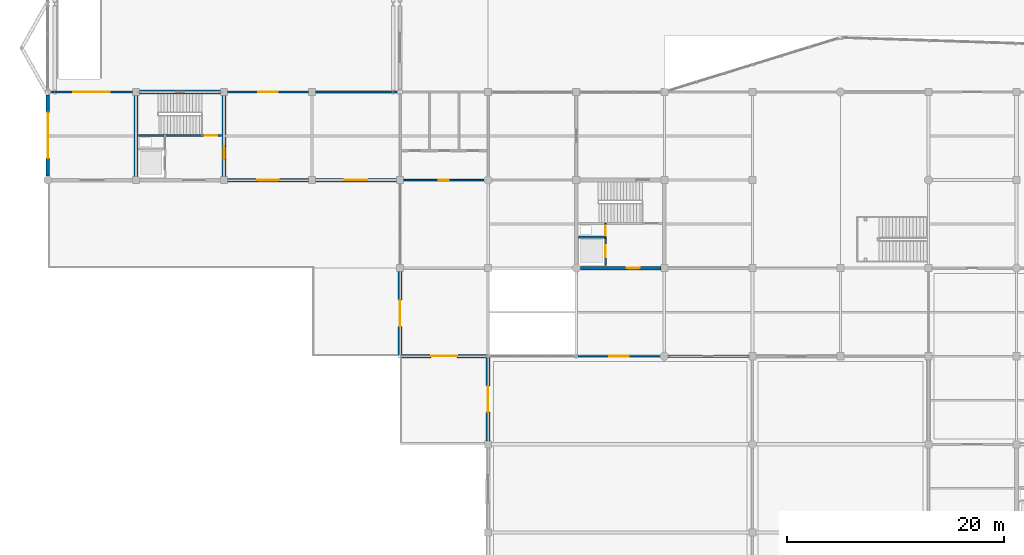
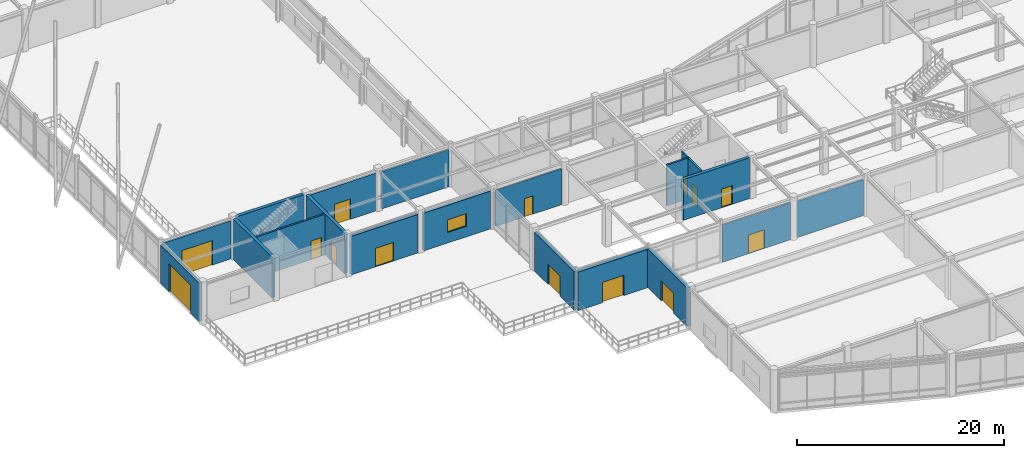
# One storey, part 61 of 99: 20 walls, 14 doors, 1 window, 15 openings.
"""IFC4 building model written with IfcOpenShell, lengths in metres."""

from ifc_helpers import new_model, si_unit, direction, frame, frame_2d, origin, place, context, subcontext, project, spatial, rectangle, extrude, material, layer, layer_set, type_object, element, fill, save


model = new_model("IFC4")

# Units and contexts
model_context = context("Model", 3, precision=1e-05, world=origin(), true_north=direction((0.0, 1.0)))
body_context = subcontext(model_context, "Body", "Model", "MODEL_VIEW")
ifc_project = project(units=[si_unit("LENGTHUNIT", "METRE"), si_unit("AREAUNIT", "SQUARE_METRE"), si_unit("VOLUMEUNIT", "CUBIC_METRE"), si_unit("PLANEANGLEUNIT", "RADIAN"), si_unit("MASSUNIT", "GRAM", prefix="KILO")], contexts=[model_context])

# Site, building, storey
site_placement = place(None, origin())
site = spatial("IfcSite", under=ifc_project, at=site_placement, CompositionType="ELEMENT")
building_placement = place(site_placement, origin())
building = spatial("IfcBuilding", under=site, at=building_placement, Name="Vaudrelin Polytechnic", CompositionType="ELEMENT")
storey_placement = place(building_placement, origin())
storey = spatial("IfcBuildingStorey", under=building, at=storey_placement, Name="L00", CompositionType="ELEMENT", Elevation=0.0)

# Wall, opening, door
ifc_material_1 = material(Name="Insulated precast concrete sandwich panel 40 MPa", Category="concrete")
ifc_layer_1 = layer(ifc_material_1, 0.340087890625)
ifc_layer_set_1 = layer_set([ifc_layer_1], Name="Insulated precast concrete sandwich panel 40 MPa")
wall_type_1 = type_object("IfcWallType", Name="WAL-EW-IND340", PredefinedType="STANDARD", material=ifc_layer_set_1)
wall_1_placement = place(storey_placement, frame((0.0, 40.873046875, 0.0), z_axis=(0.0, 0.0, 1.0), x_axis=(0.0, 1.0, 0.0)))
wall_1 = element("IfcWall", 1, at=wall_1_placement, inside=storey, type_object=wall_type_1, Name="Exterior wall L00 W_V1_00", PredefinedType="STANDARD", context=body_context, shape_type="SweptSolid", body=[
    extrude(rectangle(XDim=7.474853515625, YDim=0.340087890625, at=frame_2d((3.7373046875, 0.0))), origin(), (0.0, 0.0, 1.0), 4.51611328125),
])
opening_1_placement = place(wall_1_placement, frame((1.637451171875, 0.0, 0.0)))
opening_1 = element("IfcOpeningElement", 2, at=opening_1_placement, cuts=wall_1, Name="Opening VD-01", PredefinedType="OPENING", context=body_context, shape_type="SweptSolid", body=[
    extrude(rectangle(XDim=4.199951171875, YDim=3.300048828125, at=frame_2d((2.10009765625, 1.64990234375))), frame((0.0, 0.18017578125, 0.0), z_axis=(0.0, -1.0, 0.0), x_axis=(1.0, 0.0, 0.0)), (0.0, 0.0, 1.0), 0.360107421875),
])
ifc_material_2 = material(Name="Galvanised insulated steel", Category="steel")
door_type_1 = type_object("IfcDoorType", Name="DOR-VD-01", OperationType="ROLLINGUP", PredefinedType="GATE", material=ifc_material_2)
door_1_placement = place(opening_1_placement, origin())
door_1 = element("IfcDoor", 3, at=door_1_placement, inside=storey, type_object=door_type_1, Name="Exterior exit door VD-01", OperationType="ROLLINGUP", OverallHeight=3.300048828125, OverallWidth=4.199951171875, PredefinedType="GATE", context=body_context, shape_type="SweptSolid", body=[
    extrude(rectangle(XDim=4.199951171875, YDim=3.300048828125, at=frame_2d((2.10009765625, 1.64990234375))), frame((0.0, 0.02490234375, 0.0), z_axis=(0.0, -1.0, 0.0), x_axis=(1.0, 0.0, 0.0)), (0.0, 0.0, 1.0), 0.050048828125),
])
fill(opening_1, door_1)

wall_2_placement = place(storey_placement, frame((16.52294921875, 40.5, 0.0), z_axis=(0.0, 0.0, 1.0), x_axis=(1.0, 0.0, 0.0)))
wall_2 = element("IfcWall", 4, at=wall_2_placement, inside=storey, type_object=wall_type_1, Name="Exterior wall L00 S_V1_02", PredefinedType="STANDARD", context=body_context, shape_type="SweptSolid", body=[
    extrude(rectangle(XDim=7.4541015625, YDim=0.340087890625, at=frame_2d((3.72705078125, 0.0))), origin(), (0.0, 0.0, 1.0), 4.555908203125),
])
opening_2_placement = place(wall_2_placement, frame((4.72705078125, 0.0, 0.0), z_axis=(0.0, 0.0, 1.0), x_axis=(-1.0, 0.0, 0.0)))
opening_2 = element("IfcOpeningElement", 5, at=opening_2_placement, cuts=wall_2, Name="Opening ED-00-16", PredefinedType="OPENING", context=body_context, shape_type="SweptSolid", body=[
    extrude(rectangle(XDim=2.0, YDim=2.199951171875, at=frame_2d((1.0, 1.10009765625))), frame((0.0, 0.18017578125, 0.0), z_axis=(0.0, -1.0, 0.0), x_axis=(1.0, 0.0, 0.0)), (0.0, 0.0, 1.0), 0.360107421875),
])
ifc_material_3 = material(Name="Thermally broken anodised aluminium AA 6063-T6", Category="aluminium")
door_type_2 = type_object("IfcDoorType", Name="DOR-ED-02", OperationType="DOUBLE_SWING_LEFT", PredefinedType="DOOR", material=ifc_material_3)
door_2_placement = place(opening_2_placement, origin())
door_2 = element("IfcDoor", 6, at=door_2_placement, inside=storey, type_object=door_type_2, Name="Exterior exit door ED-00-16", OperationType="DOUBLE_SWING_LEFT", OverallHeight=2.199951171875, OverallWidth=2.0, PredefinedType="DOOR", context=body_context, shape_type="SweptSolid", body=[
    extrude(rectangle(XDim=2.0, YDim=2.199951171875, at=frame_2d((1.0, 1.10009765625))), frame((0.0, 0.02490234375, 0.0), z_axis=(0.0, -1.0, 0.0), x_axis=(1.0, 0.0, 0.0)), (0.0, 0.0, 1.0), 0.050048828125),
])
fill(opening_2, door_2)

# Wall, opening, window
wall_3_placement = place(storey_placement, frame((24.623046875, 40.5, 0.0), z_axis=(0.0, 0.0, 1.0), x_axis=(1.0, 0.0, 0.0)))
wall_3 = element("IfcWall", 7, at=wall_3_placement, inside=storey, type_object=wall_type_1, Name="Exterior wall L00 S_V1_03", PredefinedType="STANDARD", context=body_context, shape_type="SweptSolid", body=[
    extrude(rectangle(XDim=7.453857421875, YDim=0.340087890625, at=frame_2d((3.72705078125, 0.0))), origin(), (0.0, 0.0, 1.0), 4.466064453125),
])
opening_3_placement = place(wall_3_placement, frame((2.677001953125, 0.0, 1.25)))
opening_3 = element("IfcOpeningElement", 8, at=opening_3_placement, cuts=wall_3, Name="Opening W-L00-S-V1-04", PredefinedType="OPENING", context=body_context, shape_type="SweptSolid", body=[
    extrude(rectangle(XDim=2.10009765625, YDim=1.5, at=frame_2d((1.050048828125, 0.75))), frame((0.0, 0.18017578125, 0.0), z_axis=(0.0, -1.0, 0.0), x_axis=(1.0, 0.0, 0.0)), (0.0, 0.0, 1.0), 0.360107421875),
])
ifc_material_4 = material(Name="Thermally broken aluminium frame with triple low-e glazing", Category="aluminium")
window_type = type_object("IfcWindowType", Name="WIN-WN-05", PartitioningType="SINGLE_PANEL", PredefinedType="WINDOW", material=ifc_material_4)
window_placement = place(opening_3_placement, origin())
window = element("IfcWindow", 9, at=window_placement, inside=storey, type_object=window_type, Name="Facade window L00-S_V1_03", OverallHeight=1.5, OverallWidth=2.10009765625, PartitioningType="SINGLE_PANEL", PredefinedType="WINDOW", context=body_context, shape_type="SweptSolid", body=[
    extrude(rectangle(XDim=2.10009765625, YDim=1.5, at=frame_2d((1.050048828125, 0.75))), frame((0.0, 0.030029296875, 0.0), z_axis=(0.0, -1.0, 0.0), x_axis=(1.0, 0.0, 0.0)), (0.0, 0.0, 1.0), 0.06005859375),
])
fill(opening_3, window)

# Wall, opening, door
ifc_material_5 = material(Name="Architectural ribbed precast concrete 40 MPa", Category="concrete")
ifc_layer_2 = layer(ifc_material_5, 0.3798828125)
ifc_layer_set_2 = layer_set([ifc_layer_2], Name="Architectural ribbed precast concrete 40 MPa")
wall_type_2 = type_object("IfcWallType", Name="WAL-EW-PREC380", PredefinedType="STANDARD", material=ifc_layer_set_2)
wall_4_placement = place(storey_placement, frame((40.5, 16.52294921875, 0.0), z_axis=(0.0, 0.0, 1.0), x_axis=(0.0, 1.0, 0.0)))
wall_4 = element("IfcWall", 10, at=wall_4_placement, inside=storey, type_object=wall_type_2, Name="Exterior wall L00 W_V2_02", PredefinedType="STANDARD", context=body_context, shape_type="SweptSolid", body=[
    extrude(rectangle(XDim=7.652099609375, YDim=0.3798828125, at=frame_2d((3.826171875, 0.0))), origin(), (0.0, 0.0, 1.0), 4.555908203125),
])
opening_4_placement = place(wall_4_placement, frame((2.6259765625, 0.0, 0.0)))
opening_4 = element("IfcOpeningElement", 11, at=opening_4_placement, cuts=wall_4, Name="Opening ED-00-10", PredefinedType="OPENING", context=body_context, shape_type="SweptSolid", body=[
    extrude(rectangle(XDim=2.39990234375, YDim=2.39990234375, at=frame_2d((1.199951171875, 1.199951171875))), frame((0.0, 0.199951171875, 0.0), z_axis=(0.0, -1.0, 0.0), x_axis=(1.0, 0.0, 0.0)), (0.0, 0.0, 1.0), 0.39990234375),
])
door_type_3 = type_object("IfcDoorType", Name="DOR-ED-01", OperationType="DOUBLE_SWING_LEFT", PredefinedType="DOOR", material=ifc_material_3)
door_3_placement = place(opening_4_placement, origin())
door_3 = element("IfcDoor", 12, at=door_3_placement, inside=storey, type_object=door_type_3, Name="Exterior exit door ED-00-10", OperationType="DOUBLE_SWING_LEFT", OverallHeight=2.39990234375, OverallWidth=2.39990234375, PredefinedType="DOOR", context=body_context, shape_type="SweptSolid", body=[
    extrude(rectangle(XDim=2.39990234375, YDim=2.39990234375, at=frame_2d((1.199951171875, 1.199951171875))), frame((0.0, 0.02490234375, 0.0), z_axis=(0.0, -1.0, 0.0), x_axis=(1.0, 0.0, 0.0)), (0.0, 0.0, 1.0), 0.050048828125),
])
fill(opening_4, door_3)

ifc_material_6 = material(Name="Precast concrete 35 MPa with standing-seam zinc rainscreen", Category="concrete")
ifc_layer_3 = layer(ifc_material_6, 0.360107421875)
ifc_layer_set_3 = layer_set([ifc_layer_3], Name="Precast concrete 35 MPa with standing-seam zinc rainscreen")
wall_type_3 = type_object("IfcWallType", Name="WAL-EW-ZINC360", PredefinedType="STANDARD", material=ifc_layer_set_3)
wall_5_placement = place(storey_placement, frame((32.39990234375, 24.425048828125, 0.0), z_axis=(0.0, 0.0, 1.0), x_axis=(0.0, 1.0, 0.0)))
wall_5 = element("IfcWall", 13, at=wall_5_placement, inside=storey, type_object=wall_type_3, Name="Exterior wall L00 W_PORCH_00", PredefinedType="STANDARD", context=body_context, shape_type="SweptSolid", body=[
    extrude(rectangle(XDim=7.65185546875, YDim=0.360107421875, at=frame_2d((3.825927734375, 0.0))), origin(), (0.0, 0.0, 1.0), 4.555908203125),
])
opening_5_placement = place(wall_5_placement, frame((2.6259765625, 0.0, 0.0)))
opening_5 = element("IfcOpeningElement", 14, at=opening_5_placement, cuts=wall_5, Name="Opening ED-MAIN-01", PredefinedType="OPENING", context=body_context, shape_type="SweptSolid", body=[
    extrude(rectangle(XDim=2.39990234375, YDim=2.39990234375, at=frame_2d((1.199951171875, 1.199951171875))), frame((0.0, 0.18994140625, 0.0), z_axis=(0.0, -1.0, 0.0), x_axis=(1.0, 0.0, 0.0)), (0.0, 0.0, 1.0), 0.380126953125),
])
door_4_placement = place(opening_5_placement, origin())
door_4 = element("IfcDoor", 15, at=door_4_placement, inside=storey, type_object=door_type_3, Name="Exterior exit door ED-MAIN-01", OperationType="DOUBLE_SWING_LEFT", OverallHeight=2.39990234375, OverallWidth=2.39990234375, PredefinedType="DOOR", context=body_context, shape_type="SweptSolid", body=[
    extrude(rectangle(XDim=2.39990234375, YDim=2.39990234375, at=frame_2d((1.199951171875, 1.199951171875))), frame((0.0, 0.02490234375, 0.0), z_axis=(0.0, -1.0, 0.0), x_axis=(1.0, 0.0, 0.0)), (0.0, 0.0, 1.0), 0.050048828125),
])
fill(opening_5, door_4)

wall_6_placement = place(storey_placement, frame((32.52490234375, 24.300048828125, 0.0), z_axis=(0.0, 0.0, 1.0), x_axis=(1.0, 0.0, 0.0)))
wall_6 = element("IfcWall", 16, at=wall_6_placement, inside=storey, type_object=wall_type_3, Name="Exterior wall L00 S_PORCH_00", PredefinedType="STANDARD", context=body_context, shape_type="SweptSolid", body=[
    extrude(rectangle(XDim=7.85009765625, YDim=0.360107421875, at=frame_2d((3.925048828125, 0.0))), origin(), (0.0, 0.0, 1.0), 4.555908203125),
])
opening_6_placement = place(wall_6_placement, frame((5.125, 0.0, 0.0), z_axis=(0.0, 0.0, 1.0), x_axis=(-1.0, 0.0, 0.0)))
opening_6 = element("IfcOpeningElement", 17, at=opening_6_placement, cuts=wall_6, Name="Opening ED-MAIN-02", PredefinedType="OPENING", context=body_context, shape_type="SweptSolid", body=[
    extrude(rectangle(XDim=2.39990234375, YDim=2.39990234375, at=frame_2d((1.199951171875, 1.199951171875))), frame((0.0, 0.18994140625, 0.0), z_axis=(0.0, -1.0, 0.0), x_axis=(1.0, 0.0, 0.0)), (0.0, 0.0, 1.0), 0.380126953125),
])
door_5_placement = place(opening_6_placement, origin())
door_5 = element("IfcDoor", 18, at=door_5_placement, inside=storey, type_object=door_type_3, Name="Exterior exit door ED-MAIN-02", OperationType="DOUBLE_SWING_RIGHT", OverallHeight=2.39990234375, OverallWidth=2.39990234375, PredefinedType="DOOR", context=body_context, shape_type="SweptSolid", body=[
    extrude(rectangle(XDim=2.39990234375, YDim=2.39990234375, at=frame_2d((1.199951171875, 1.199951171875))), frame((0.0, 0.02490234375, 0.0), z_axis=(0.0, -1.0, 0.0), x_axis=(1.0, 0.0, 0.0)), (0.0, 0.0, 1.0), 0.050048828125),
])
fill(opening_6, door_5)

ifc_material_7 = material(Name="Acoustic double-stud gypsum & mineral-wool partition", Category="gypsum")
ifc_layer_4 = layer(ifc_material_7, 0.179931640625)
ifc_layer_set_4 = layer_set([ifc_layer_4], Name="Acoustic double-stud gypsum & mineral-wool partition")
wall_type_4 = type_object("IfcWallType", Name="WAL-PW-AC180", PredefinedType="PARTITIONING", material=ifc_layer_set_4)
wall_7_placement = place(storey_placement, frame((48.72509765625, 24.300048828125, 0.0), z_axis=(0.0, 0.0, 1.0), x_axis=(1.0, 0.0, 0.0)))
wall_7 = element("IfcWall", 19, at=wall_7_placement, inside=storey, type_object=wall_type_4, Name="Partition L00-008 N", PredefinedType="PARTITIONING", context=body_context, shape_type="SweptSolid", body=[
    extrude(rectangle(XDim=7.601806640625, YDim=0.179931640625, at=frame_2d((3.80078125, 0.0))), origin(), (0.0, 0.0, 1.0), 4.406982421875),
])
opening_7_placement = place(wall_7_placement, frame((2.90087890625, 0.0, 0.0)))
opening_7 = element("IfcOpeningElement", 20, at=opening_7_placement, cuts=wall_7, Name="Opening D-L00-425", PredefinedType="OPENING", context=body_context, shape_type="SweptSolid", body=[
    extrude(rectangle(XDim=1.800048828125, YDim=2.199951171875, at=frame_2d((0.89990234375, 1.10009765625))), frame((0.0, 0.10009765625, 0.0), z_axis=(0.0, -1.0, 0.0), x_axis=(1.0, 0.0, 0.0)), (0.0, 0.0, 1.0), 0.199951171875),
])
ifc_material_8 = material(Name="Pressed galvanised steel acoustic leaf", Category="steel")
door_type_4 = type_object("IfcDoorType", Name="DOR-ID-LEC1", OperationType="NOTDEFINED", PredefinedType="DOOR", material=ifc_material_8)
door_6_placement = place(opening_7_placement, origin())
door_6 = element("IfcDoor", 21, at=door_6_placement, inside=storey, type_object=door_type_4, Name="Lecture Theatre A door L00-008", OperationType="DOUBLE_SWING_LEFT", OverallHeight=2.199951171875, OverallWidth=1.800048828125, PredefinedType="DOOR", context=body_context, shape_type="SweptSolid", body=[
    extrude(rectangle(XDim=1.800048828125, YDim=2.199951171875, at=frame_2d((0.89990234375, 1.10009765625))), frame((0.0, 0.02490234375, 0.0), z_axis=(0.0, -1.0, 0.0), x_axis=(1.0, 0.0, 0.0)), (0.0, 0.0, 1.0), 0.050048828125),
])
fill(opening_7, door_6)

# Wall
wall_8_placement = place(storey_placement, frame((57.072998046875, 24.300048828125, 0.0), z_axis=(0.0, 0.0, 1.0), x_axis=(1.0, 0.0, 0.0)))
element("IfcWall", 22, at=wall_8_placement, inside=storey, type_object=wall_type_4, Name="Partition L00-008 N", PredefinedType="PARTITIONING", context=body_context, shape_type="SweptSolid", body=[
    extrude(rectangle(XDim=7.404052734375, YDim=0.179931640625, at=frame_2d((3.7021484375, 0.0))), origin(), (0.0, 0.0, 1.0), 4.2890625),
])

# Wall, opening, door
ifc_material_9 = material(Name="Concrete masonry unit 20 MPa shaft & corridor fire wall", Category="masonry")
ifc_layer_5 = layer(ifc_material_9, 0.199951171875)
ifc_layer_set_5 = layer_set([ifc_layer_5], Name="Concrete masonry unit 20 MPa shaft & corridor fire wall")
wall_type_5 = type_object("IfcWallType", Name="WAL-PW-FIRE120", PredefinedType="PARTITIONING", material=ifc_layer_set_5)
wall_9_placement = place(storey_placement, frame((0.251953125, 48.60009765625, 0.0), z_axis=(0.0, 0.0, 1.0), x_axis=(1.0, 0.0, 0.0)))
wall_9 = element("IfcWall", 23, at=wall_9_placement, inside=storey, type_object=wall_type_5, Name="Partition L00-005 S", PredefinedType="PARTITIONING", context=body_context, shape_type="SweptSolid", body=[
    extrude(rectangle(XDim=7.525146484375, YDim=0.199951171875, at=frame_2d((3.7626953125, 0.0))), origin(), (0.0, 0.0, 1.0), 4.5048828125),
])
opening_8_placement = place(wall_9_placement, frame((2.0625, 0.0, 0.0)))
opening_8 = element("IfcOpeningElement", 24, at=opening_8_placement, cuts=wall_9, Name="Opening D-L00-589", PredefinedType="OPENING", context=body_context, shape_type="SweptSolid", body=[
    extrude(rectangle(XDim=3.39990234375, YDim=2.89990234375, at=frame_2d((1.699951171875, 1.449951171875))), frame((0.0, 0.10986328125, 0.0), z_axis=(0.0, -1.0, 0.0), x_axis=(1.0, 0.0, 0.0)), (0.0, 0.0, 1.0), 0.219970703125),
])
ifc_material_10 = material(Name="Galvanised insulated fire-rated steel slats", Category="steel")
door_type_5 = type_object("IfcDoorType", Name="DOR-ID-RLP1", OperationType="ROLLINGUP", PredefinedType="GATE", material=ifc_material_10)
door_7_placement = place(opening_8_placement, origin())
door_7 = element("IfcDoor", 25, at=door_7_placement, inside=storey, type_object=door_type_5, Name="Receiving vestibule workshop roll-up door L00", OperationType="ROLLINGUP", OverallHeight=2.89990234375, OverallWidth=3.39990234375, PredefinedType="GATE", context=body_context, shape_type="SweptSolid", body=[
    extrude(rectangle(XDim=3.39990234375, YDim=2.89990234375, at=frame_2d((1.699951171875, 1.449951171875))), frame((0.0, 0.02490234375, 0.0), z_axis=(0.0, -1.0, 0.0), x_axis=(1.0, 0.0, 0.0)), (0.0, 0.0, 1.0), 0.050048828125),
])
fill(opening_8, door_7)

wall_10_placement = place(storey_placement, frame((16.52294921875, 48.60009765625, 0.0), z_axis=(0.0, 0.0, 1.0), x_axis=(1.0, 0.0, 0.0)))
wall_10 = element("IfcWall", 26, at=wall_10_placement, inside=storey, type_object=wall_type_5, Name="Partition L00-005 S", PredefinedType="PARTITIONING", context=body_context, shape_type="SweptSolid", body=[
    extrude(rectangle(XDim=7.4541015625, YDim=0.199951171875, at=frame_2d((3.72705078125, 0.0))), origin(), (0.0, 0.0, 1.0), 4.466064453125),
])
opening_9_placement = place(wall_10_placement, frame((2.826904296875, 0.0, 0.0)))
opening_9 = element("IfcOpeningElement", 27, at=opening_9_placement, cuts=wall_10, Name="Opening D-L00-424", PredefinedType="OPENING", context=body_context, shape_type="SweptSolid", body=[
    extrude(rectangle(XDim=1.800048828125, YDim=2.39990234375, at=frame_2d((0.89990234375, 1.199951171875))), frame((0.0, 0.10986328125, 0.0), z_axis=(0.0, -1.0, 0.0), x_axis=(1.0, 0.0, 0.0)), (0.0, 0.0, 1.0), 0.219970703125),
])
door_type_6 = type_object("IfcDoorType", Name="DOR-ID-WK1", OperationType="NOTDEFINED", PredefinedType="DOOR", material=ifc_material_8)
door_8_placement = place(opening_9_placement, origin())
door_8 = element("IfcDoor", 28, at=door_8_placement, inside=storey, type_object=door_type_6, Name="Workshop Metrology Control Room door L00-007", OperationType="DOUBLE_SWING_LEFT", OverallHeight=2.39990234375, OverallWidth=1.800048828125, PredefinedType="DOOR", context=body_context, shape_type="SweptSolid", body=[
    extrude(rectangle(XDim=1.800048828125, YDim=2.39990234375, at=frame_2d((0.89990234375, 1.199951171875))), frame((0.0, 0.02490234375, 0.0), z_axis=(0.0, -1.0, 0.0), x_axis=(1.0, 0.0, 0.0)), (0.0, 0.0, 1.0), 0.050048828125),
])
fill(opening_9, door_8)

# Wall
wall_11_placement = place(storey_placement, frame((24.623046875, 48.60009765625, 0.0), z_axis=(0.0, 0.0, 1.0), x_axis=(1.0, 0.0, 0.0)))
element("IfcWall", 29, at=wall_11_placement, inside=storey, type_object=wall_type_5, Name="Partition L00-005 S", PredefinedType="PARTITIONING", context=body_context, shape_type="SweptSolid", body=[
    extrude(rectangle(XDim=7.52490234375, YDim=0.199951171875, at=frame_2d((3.762451171875, 0.0))), origin(), (0.0, 0.0, 1.0), 4.406982421875),
])

# Wall, opening, door
ifc_material_11 = material(Name="Fire-rated steel-stud gypsum compartment wall", Category="steel")
ifc_layer_6 = layer(ifc_material_11, 0.14990234375)
ifc_layer_set_6 = layer_set([ifc_layer_6], Name="Fire-rated steel-stud gypsum compartment wall")
wall_type_6 = type_object("IfcWallType", Name="WAL-PW-FIRE60", PredefinedType="PARTITIONING", material=ifc_layer_set_6)
wall_12_placement = place(storey_placement, frame((51.280029296875, 35.25, 0.0), z_axis=(0.0, 0.0, 1.0), x_axis=(0.0, 1.0, 0.0)))
wall_12 = element("IfcWall", 30, at=wall_12_placement, inside=storey, type_object=wall_type_6, Name="Core C4 riser enclosure wall L00", PredefinedType="PARTITIONING", context=body_context, shape_type="SweptSolid", body=[
    extrude(rectangle(XDim=1.260009765625, YDim=0.14990234375, at=frame_2d((0.6298828125, 0.0))), origin(), (0.0, 0.0, 1.0), 4.822021484375),
])
opening_10_placement = place(wall_12_placement, frame((0.139892578125, 0.0, 0.0)))
opening_10 = element("IfcOpeningElement", 31, at=opening_10_placement, cuts=wall_12, Name="Opening D-L00-065", PredefinedType="OPENING", context=body_context, shape_type="SweptSolid", body=[
    extrude(rectangle(XDim=0.89990234375, YDim=2.14990234375, at=frame_2d((0.449951171875, 1.074951171875))), frame((0.0, 0.0849609375, 0.0), z_axis=(0.0, -1.0, 0.0), x_axis=(1.0, 0.0, 0.0)), (0.0, 0.0, 1.0), 0.169921875),
])
door_type_7 = type_object("IfcDoorType", Name="DOR-ID-RSR1", OperationType="NOTDEFINED", PredefinedType="DOOR", material=ifc_material_8)
door_9_placement = place(opening_10_placement, origin())
door_9 = element("IfcDoor", 32, at=door_9_placement, inside=storey, type_object=door_type_7, Name="Core C4 riser access door L00", OperationType="SINGLE_SWING_RIGHT", OverallHeight=2.14990234375, OverallWidth=0.89990234375, PredefinedType="DOOR", context=body_context, shape_type="SweptSolid", body=[
    extrude(rectangle(XDim=0.89990234375, YDim=2.14990234375, at=frame_2d((0.449951171875, 1.074951171875))), frame((0.0, 0.02490234375, 0.0), z_axis=(0.0, -1.0, 0.0), x_axis=(1.0, 0.0, 0.0)), (0.0, 0.0, 1.0), 0.050048828125),
])
fill(opening_10, door_9)

ifc_material_12 = material(Name="Cement-board tiled wet-wall washroom partition", Category="gypsum")
ifc_layer_7 = layer(ifc_material_12, 0.139892578125)
ifc_layer_set_7 = layer_set([ifc_layer_7], Name="Cement-board tiled wet-wall washroom partition")
wall_type_7 = type_object("IfcWallType", Name="WAL-PW-WC140", PredefinedType="PARTITIONING", material=ifc_layer_set_7)
wall_13_placement = place(storey_placement, frame((32.722900390625, 40.5, 0.0), z_axis=(0.0, 0.0, 1.0), x_axis=(1.0, 0.0, 0.0)))
wall_13 = element("IfcWall", 33, at=wall_13_placement, inside=storey, type_object=wall_type_7, Name="Washroom enclosure wall L00-4-5-S", PredefinedType="PARTITIONING", context=body_context, shape_type="SweptSolid", body=[
    extrude(rectangle(XDim=7.404052734375, YDim=0.139892578125, at=frame_2d((3.7021484375, 0.0))), origin(), (0.0, 0.0, 1.0), 4.27099609375),
])
opening_11_placement = place(wall_13_placement, frame((3.241943359375, 0.0, 0.0)))
opening_11 = element("IfcOpeningElement", 34, at=opening_11_placement, cuts=wall_13, Name="Opening D-L00-337", PredefinedType="OPENING", context=body_context, shape_type="SweptSolid", body=[
    extrude(rectangle(XDim=0.919921875, YDim=2.14990234375, at=frame_2d((0.4599609375, 1.074951171875))), frame((0.0, 0.080078125, 0.0), z_axis=(0.0, -1.0, 0.0), x_axis=(1.0, 0.0, 0.0)), (0.0, 0.0, 1.0), 0.159912109375),
])
ifc_material_13 = material(Name="Solid-core birch veneer acoustic leaf", Category="wood")
door_type_8 = type_object("IfcDoorType", Name="DOR-ID-WC1", OperationType="NOTDEFINED", PredefinedType="DOOR", material=ifc_material_13)
door_10_placement = place(opening_11_placement, origin())
door_10 = element("IfcDoor", 35, at=door_10_placement, inside=storey, type_object=door_type_8, Name="Washroom vestibule door L00-4-5-S", OperationType="SINGLE_SWING_LEFT", OverallHeight=2.14990234375, OverallWidth=0.919921875, PredefinedType="DOOR", context=body_context, shape_type="SweptSolid", body=[
    extrude(rectangle(XDim=0.919921875, YDim=2.14990234375, at=frame_2d((0.4599609375, 1.074951171875))), frame((0.0, 0.02490234375, 0.0), z_axis=(0.0, -1.0, 0.0), x_axis=(1.0, 0.0, 0.0)), (0.0, 0.0, 1.0), 0.050048828125),
])
fill(opening_11, door_10)

ifc_material_14 = material(Name="Concrete 40 MPa", Category="concrete")
ifc_layer_8 = layer(ifc_material_14, 0.199951171875)
ifc_layer_set_8 = layer_set([ifc_layer_8], Name="Concrete 40 MPa")
wall_type_8 = type_object("IfcWallType", Name="WAL-SW-CORE200", PredefinedType="SHEAR", material=ifc_layer_set_8)
wall_14_placement = place(storey_placement, frame((8.320068359375, 44.610107421875, 0.0), z_axis=(0.0, 0.0, 1.0), x_axis=(1.0, 0.0, 0.0)))
wall_14 = element("IfcWall", 36, at=wall_14_placement, inside=storey, type_object=wall_type_8, Name="Core C3 stair enclosure wall L00", PredefinedType="SHEAR", context=body_context, shape_type="SweptSolid", body=[
    extrude(rectangle(XDim=7.659912109375, YDim=0.199951171875, at=frame_2d((3.830078125, 0.0))), origin(), (0.0, 0.0, 1.0), 4.822021484375),
])
opening_12_placement = place(wall_14_placement, frame((6.110107421875, 0.0, 0.0)))
opening_12 = element("IfcOpeningElement", 37, at=opening_12_placement, cuts=wall_14, Name="Opening D-L00-050", PredefinedType="OPENING", context=body_context, shape_type="SweptSolid", body=[
    extrude(rectangle(XDim=1.14990234375, YDim=2.199951171875, at=frame_2d((0.574951171875, 1.10009765625))), frame((0.0, 0.10986328125, 0.0), z_axis=(0.0, -1.0, 0.0), x_axis=(1.0, 0.0, 0.0)), (0.0, 0.0, 1.0), 0.219970703125),
])
door_type_9 = type_object("IfcDoorType", Name="DOR-ID-ST1", OperationType="NOTDEFINED", PredefinedType="DOOR", material=ifc_material_8)
door_11_placement = place(opening_12_placement, origin())
door_11 = element("IfcDoor", 38, at=door_11_placement, inside=storey, type_object=door_type_9, Name="Core C3 exit stair door L00", OperationType="SINGLE_SWING_LEFT", OverallHeight=2.199951171875, OverallWidth=1.14990234375, PredefinedType="DOOR", context=body_context, shape_type="SweptSolid", body=[
    extrude(rectangle(XDim=1.14990234375, YDim=2.199951171875, at=frame_2d((0.574951171875, 1.10009765625))), frame((0.0, 0.02490234375, 0.0), z_axis=(0.0, -1.0, 0.0), x_axis=(1.0, 0.0, 0.0)), (0.0, 0.0, 1.0), 0.050048828125),
])
fill(opening_12, door_11)

wall_15_placement = place(storey_placement, frame((51.280029296875, 32.64990234375, 0.0), z_axis=(0.0, 0.0, 1.0), x_axis=(0.0, 1.0, 0.0)))
wall_15 = element("IfcWall", 39, at=wall_15_placement, inside=storey, type_object=wall_type_8, Name="Lift LF-04 shaft front wall L00", PredefinedType="SHEAR", context=body_context, shape_type="SweptSolid", body=[
    extrude(rectangle(XDim=2.60009765625, YDim=0.199951171875, at=frame_2d((1.300048828125, 0.0))), origin(), (0.0, 0.0, 1.0), 4.822021484375),
])
opening_13_placement = place(wall_15_placement, frame((0.75, 0.0, 0.0)))
opening_13 = element("IfcOpeningElement", 40, at=opening_13_placement, cuts=wall_15, Name="Opening LD-LF-04-L00", PredefinedType="OPENING", context=body_context, shape_type="SweptSolid", body=[
    extrude(rectangle(XDim=1.10009765625, YDim=2.199951171875, at=frame_2d((0.550048828125, 1.10009765625))), frame((0.0, 0.10986328125, 0.0), z_axis=(0.0, -1.0, 0.0), x_axis=(1.0, 0.0, 0.0)), (0.0, 0.0, 1.0), 0.219970703125),
])
ifc_material_15 = material(Name="Brushed stainless steel AISI 304", Category="steel")
door_type_10 = type_object("IfcDoorType", Name="DOR-LD-PAX", OperationType="SLIDING_TO_LEFT", PredefinedType="DOOR", material=ifc_material_15)
door_12_placement = place(opening_13_placement, origin())
door_12 = element("IfcDoor", 41, at=door_12_placement, inside=storey, type_object=door_type_10, Name="Lift LF-04 landing door L00", OperationType="SLIDING_TO_LEFT", OverallHeight=2.199951171875, OverallWidth=1.10009765625, PredefinedType="DOOR", context=body_context, shape_type="SweptSolid", body=[
    extrude(rectangle(XDim=1.10009765625, YDim=2.199951171875, at=frame_2d((0.550048828125, 1.10009765625))), frame((0.0, 0.02490234375, 0.0), z_axis=(0.0, -1.0, 0.0), x_axis=(1.0, 0.0, 0.0)), (0.0, 0.0, 1.0), 0.050048828125),
])
fill(opening_13, door_12)

# Walls
wall_16_placement = place(storey_placement, frame((48.820068359375, 35.25, 0.0), z_axis=(0.0, 0.0, 1.0), x_axis=(1.0, 0.0, 0.0)))
element("IfcWall", 42, at=wall_16_placement, inside=storey, type_object=wall_type_8, Name="Lift LF-04 shaft north wall L00", PredefinedType="SHEAR", context=body_context, shape_type="SweptSolid", body=[
    extrude(rectangle(XDim=2.559814453125, YDim=0.199951171875, at=frame_2d((1.27978515625, 0.0))), origin(), (0.0, 0.0, 1.0), 4.822021484375),
])
ifc_material_16 = material(Name="Concrete 50 MPa", Category="concrete")
ifc_layer_9 = layer(ifc_material_16, 0.35009765625)
ifc_layer_set_9 = layer_set([ifc_layer_9], Name="Concrete 50 MPa")
wall_type_9 = type_object("IfcWallType", Name="WAL-SW-CORE350", PredefinedType="SHEAR", material=ifc_layer_set_9)
wall_17_placement = place(storey_placement, frame((8.423095703125, 48.60009765625, 0.0), z_axis=(0.0, 0.0, 1.0), x_axis=(1.0, 0.0, 0.0)))
element("IfcWall", 43, at=wall_17_placement, inside=storey, type_object=wall_type_9, Name="Core C3 N shear wall L00", PredefinedType="SHEAR", context=body_context, shape_type="SweptSolid", body=[
    extrude(rectangle(XDim=7.453857421875, YDim=0.35009765625, at=frame_2d((3.72705078125, 0.0))), origin(), (0.0, 0.0, 1.0), 4.822021484375),
])
wall_18_placement = place(storey_placement, frame((8.10009765625, 40.822998046875, 0.0), z_axis=(0.0, 0.0, 1.0), x_axis=(0.0, 1.0, 0.0)))
element("IfcWall", 44, at=wall_18_placement, inside=storey, type_object=wall_type_9, Name="Core C3 W shear wall L00", PredefinedType="SHEAR", context=body_context, shape_type="SweptSolid", body=[
    extrude(rectangle(XDim=7.4541015625, YDim=0.35009765625, at=frame_2d((3.72705078125, 0.0))), origin(), (0.0, 0.0, 1.0), 4.822021484375),
])

# Wall, opening, door
wall_19_placement = place(storey_placement, frame((16.199951171875, 40.822998046875, 0.0), z_axis=(0.0, 0.0, 1.0), x_axis=(0.0, 1.0, 0.0)))
wall_19 = element("IfcWall", 45, at=wall_19_placement, inside=storey, type_object=wall_type_9, Name="Core C3 E shear wall L00", PredefinedType="SHEAR", context=body_context, shape_type="SweptSolid", body=[
    extrude(rectangle(XDim=7.4541015625, YDim=0.35009765625, at=frame_2d((3.72705078125, 0.0))), origin(), (0.0, 0.0, 1.0), 4.822021484375),
])
opening_14_placement = place(wall_19_placement, frame((2.75, 0.0, 0.0), z_axis=(0.0, 0.0, 1.0), x_axis=(-1.0, 0.0, 0.0)))
opening_14 = element("IfcOpeningElement", 46, at=opening_14_placement, cuts=wall_19, Name="Opening D-L00-049", PredefinedType="OPENING", context=body_context, shape_type="SweptSolid", body=[
    extrude(rectangle(XDim=1.199951171875, YDim=2.199951171875, at=frame_2d((0.60009765625, 1.10009765625))), frame((0.0, 0.18505859375, 0.0), z_axis=(0.0, -1.0, 0.0), x_axis=(1.0, 0.0, 0.0)), (0.0, 0.0, 1.0), 0.3701171875),
])
door_type_11 = type_object("IfcDoorType", Name="DOR-ID-LB1", OperationType="NOTDEFINED", PredefinedType="DOOR", material=ifc_material_8)
door_13_placement = place(opening_14_placement, origin())
door_13 = element("IfcDoor", 47, at=door_13_placement, inside=storey, type_object=door_type_11, Name="Core C3 lobby fire door L00", OperationType="SINGLE_SWING_RIGHT", OverallHeight=2.199951171875, OverallWidth=1.199951171875, PredefinedType="DOOR", context=body_context, shape_type="SweptSolid", body=[
    extrude(rectangle(XDim=1.199951171875, YDim=2.199951171875, at=frame_2d((0.60009765625, 1.10009765625))), frame((0.0, 0.02490234375, 0.0), z_axis=(0.0, -1.0, 0.0), x_axis=(1.0, 0.0, 0.0)), (0.0, 0.0, 1.0), 0.050048828125),
])
fill(opening_14, door_13)

wall_20_placement = place(storey_placement, frame((48.972900390625, 32.39990234375, 0.0), z_axis=(0.0, 0.0, 1.0), x_axis=(1.0, 0.0, 0.0)))
wall_20 = element("IfcWall", 48, at=wall_20_placement, inside=storey, type_object=wall_type_9, Name="Core C4 S shear wall L00", PredefinedType="SHEAR", context=body_context, shape_type="SweptSolid", body=[
    extrude(rectangle(XDim=7.404052734375, YDim=0.35009765625, at=frame_2d((3.7021484375, 0.0))), origin(), (0.0, 0.0, 1.0), 4.822021484375),
])
opening_15_placement = place(wall_20_placement, frame((4.277099609375, 0.0, 0.0)))
opening_15 = element("IfcOpeningElement", 49, at=opening_15_placement, cuts=wall_20, Name="Opening D-L00-063", PredefinedType="OPENING", context=body_context, shape_type="SweptSolid", body=[
    extrude(rectangle(XDim=1.199951171875, YDim=2.199951171875, at=frame_2d((0.60009765625, 1.10009765625))), frame((0.0, 0.18505859375, 0.0), z_axis=(0.0, -1.0, 0.0), x_axis=(1.0, 0.0, 0.0)), (0.0, 0.0, 1.0), 0.3701171875),
])
door_14_placement = place(opening_15_placement, origin())
door_14 = element("IfcDoor", 50, at=door_14_placement, inside=storey, type_object=door_type_11, Name="Core C4 lobby fire door L00-S", OperationType="SINGLE_SWING_LEFT", OverallHeight=2.199951171875, OverallWidth=1.199951171875, PredefinedType="DOOR", context=body_context, shape_type="SweptSolid", body=[
    extrude(rectangle(XDim=1.199951171875, YDim=2.199951171875, at=frame_2d((0.60009765625, 1.10009765625))), frame((0.0, 0.02490234375, 0.0), z_axis=(0.0, -1.0, 0.0), x_axis=(1.0, 0.0, 0.0)), (0.0, 0.0, 1.0), 0.050048828125),
])
fill(opening_15, door_14)

save(model, "model.ifc")
